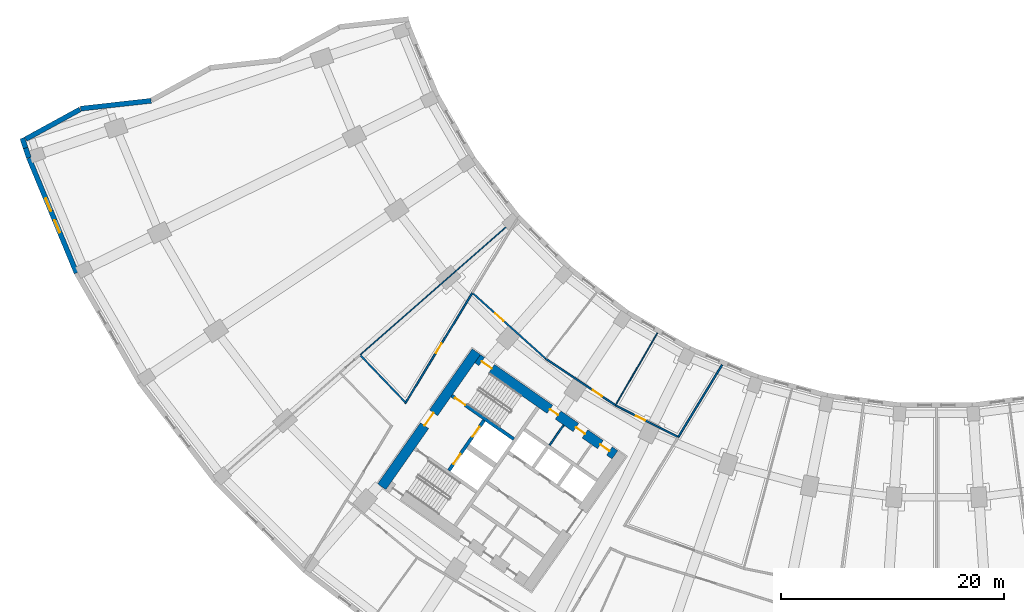
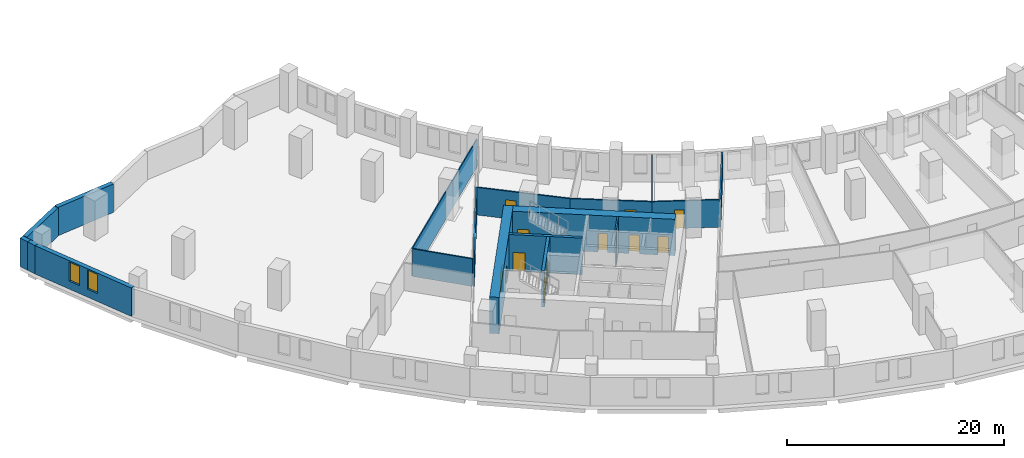
# One storey, part 7 of 20: 18 walls, 12 doors, 2 windows, 14 openings.
"""IFC4 building model written with IfcOpenShell, lengths in metres."""

import ifcopenshell
import ifcopenshell.guid

model = None  # the IFC model being written
_history = None  # IfcOwnerHistory: only IFC2X3 demands one
_inside = {}  # id of a spatial element -> (the spatial element, [elements in it])
_under = {}  # id of a project, library or spatial element -> (it, [spatial elements below it])
_declared = {}  # id of a project -> (the project, [libraries it declares])
_typed = {}  # id of a type object -> (the type object, [elements of that type])
_made_of = {}  # id of a material, layer set ... -> (it, [elements and type objects made of it])


def new_model(schema):
    """Start an empty IFC model of exactly this schema.

    Asked for "IFC4X3", IfcOpenShell would pick the latest addendum, in which some entities
    have other attributes; the version numbers below select the first issue.
    IFC2X3 requires an IfcOwnerHistory on every rooted entity: one is made here for all.
    """
    global model, _history
    if schema == "IFC4X3":
        model = ifcopenshell.file(schema_version=(4, 3, 0, 0))
    else:
        model = ifcopenshell.file(schema=schema)
    _inside.clear()
    _under.clear()
    _declared.clear()
    _typed.clear()
    _made_of.clear()
    _history = None
    if model.schema == "IFC2X3":
        org = make("IfcOrganization", Name="unknown")
        user = make(
            "IfcPersonAndOrganization",
            ThePerson=make("IfcPerson", FamilyName="unknown"),
            TheOrganization=org,
        )
        app = make(
            "IfcApplication",
            ApplicationDeveloper=org,
            Version="unknown",
            ApplicationFullName="unknown",
            ApplicationIdentifier="unknown",
        )
        _history = make(
            "IfcOwnerHistory",
            OwningUser=user,
            OwningApplication=app,
            ChangeAction="ADDED",
            CreationDate=0,
        )
    return model


def make(cls, **values):
    """One entity of the class cls with the attributes given. An attribute that is None is left unset."""
    return model.create_entity(
        cls, **{name: value for name, value in values.items() if value is not None}
    )


def rooted(cls, **values):
    """An entity with a GlobalId (a new one), such as an element, a storey or a relation."""
    return make(cls, GlobalId=ifcopenshell.guid.new(), OwnerHistory=_history, **values)


def si_unit(unit_type, name, prefix=None):
    """IfcSIUnit, for example si_unit("LENGTHUNIT", "METRE", prefix="MILLI")."""
    return make("IfcSIUnit", UnitType=unit_type, Prefix=prefix, Name=name)


def assignment(units):
    """IfcUnitAssignment: the units of a project."""
    return None if units is None else make("IfcUnitAssignment", Units=units)


def point(xyz):
    """IfcCartesianPoint."""
    return None if xyz is None else make("IfcCartesianPoint", Coordinates=xyz)


def direction(xyz):
    """IfcDirection."""
    return None if xyz is None else make("IfcDirection", DirectionRatios=xyz)


def frame(location, z_axis=None, x_axis=None):
    """IfcAxis2Placement3D, a coordinate frame: its origin and axes. An axis left out is left unset."""
    return make(
        "IfcAxis2Placement3D",
        Location=point(location),
        Axis=direction(z_axis),
        RefDirection=direction(x_axis),
    )


def frame_2d(location, x_axis=None):
    """IfcAxis2Placement2D, a coordinate frame in the plane: its origin and x axis."""
    return make(
        "IfcAxis2Placement2D", Location=point(location), RefDirection=direction(x_axis)
    )


def origin():
    """The frame at (0, 0, 0) with its axes left unset."""
    return frame((0.0, 0.0, 0.0))


def place(relative_to, where):
    """IfcLocalPlacement: puts the frame where relative to a parent placement (None: the world)."""
    return make(
        "IfcLocalPlacement", PlacementRelTo=relative_to, RelativePlacement=where
    )


def context(
    kind, dimensions, precision=None, world=None, true_north=None, identifier=None
):
    """IfcGeometricRepresentationContext, for example the 3D "Model" context."""
    return make(
        "IfcGeometricRepresentationContext",
        ContextIdentifier=identifier,
        ContextType=kind,
        CoordinateSpaceDimension=dimensions,
        Precision=precision,
        WorldCoordinateSystem=world,
        TrueNorth=true_north,
    )


def subcontext(parent, identifier, kind, view, scale=None):
    """IfcGeometricRepresentationSubContext, for example "Body" below "Model"."""
    return make(
        "IfcGeometricRepresentationSubContext",
        ContextIdentifier=identifier,
        ContextType=kind,
        ParentContext=parent,
        TargetScale=scale,
        TargetView=view,
    )


def project(units=None, contexts=None):
    """IfcProject with its units and contexts."""
    return rooted(
        "IfcProject",
        Name="project",
        RepresentationContexts=contexts,
        UnitsInContext=assignment(units),
    )


def spatial(cls, under=None, at=None, **own):
    """A site, building, storey or space (cls), placed at a placement, below another one or the project."""
    s = rooted(cls, ObjectPlacement=at, **own)
    if under is not None:
        _under.setdefault(under.id(), (under, []))[1].append(s)
    return s


def profile(cls, at=None, kind="AREA", **sizes):
    """A parametric profile (cls). Its sizes go by their IFC names, for example OverallWidth=200.0."""
    return make(cls, ProfileType=kind, Position=at, **sizes)


def rectangle(**sizes):
    """IfcRectangleProfileDef."""
    return profile("IfcRectangleProfileDef", **sizes)


def extrude(swept, where, along, depth):
    """IfcExtrudedAreaSolid: the profile swept, set in the frame where, extruded along a direction by depth."""
    return make(
        "IfcExtrudedAreaSolid",
        SweptArea=swept,
        Position=where,
        ExtrudedDirection=direction(along),
        Depth=depth,
    )


def shape(context_of_items, identifier, shape_type, items):
    """IfcShapeRepresentation: the items that make up one representation, for example the "Body"."""
    return make(
        "IfcShapeRepresentation",
        ContextOfItems=context_of_items,
        RepresentationIdentifier=identifier,
        RepresentationType=shape_type,
        Items=items,
    )


def material(Name=None, Category=None):
    """IfcMaterial."""
    return make("IfcMaterial", Name=Name, Category=Category)


def layer(
    of_material, thickness, ventilated=None, Name=None, Category=None, Priority=None
):
    """IfcMaterialLayer: one layer of a wall or slab, of a material (None: an air gap)."""
    return make(
        "IfcMaterialLayer",
        Material=of_material,
        LayerThickness=thickness,
        IsVentilated=ventilated,
        Name=Name,
        Category=Category,
        Priority=Priority,
    )


def layer_set(layers, Name=None):
    """IfcMaterialLayerSet."""
    return make("IfcMaterialLayerSet", MaterialLayers=layers, LayerSetName=Name)


def made_of(thing, what):
    """Note that an element or type object is made of a material, layer set ...; save() writes the relation."""
    if what is not None:
        _made_of.setdefault(what.id(), (what, []))[1].append(thing)
    return thing


def type_object(cls, material=None, **own):
    """A type object (cls), such as IfcWallType, which elements share."""
    return made_of(rooted(cls, **own), material)


def element(
    cls,
    number,
    at=None,
    inside=None,
    cuts=None,
    type_object=None,
    material=None,
    context=None,
    identifier="Body",
    shape_type=None,
    held_by="IfcProductDefinitionShape",
    body=None,
    shapes=None,
    **own,
):
    """One element of the class cls, such as IfcWall. Its Tag is "e" and its number.

    at: its placement. inside: the storey or other place that contains it. cuts: it is an
    opening in that element (IfcRelVoidsElement). A single representation is given by context,
    identifier, shape_type and body (its items); several are given by shapes. held_by: the class
    of the entity that holds the representations. save() writes the other relations.
    """
    e = rooted(cls, Tag="e%d" % number, ObjectPlacement=at, **own)
    if body is not None:
        shapes = [shape(context, identifier, shape_type, body)]
    if shapes is not None:
        e.Representation = make(held_by, Representations=shapes)
    if inside is not None:
        _inside.setdefault(inside.id(), (inside, []))[1].append(e)
    if cuts is not None:
        rooted(
            "IfcRelVoidsElement", RelatingBuildingElement=cuts, RelatedOpeningElement=e
        )
    if type_object is not None:
        _typed.setdefault(type_object.id(), (type_object, []))[1].append(e)
    return made_of(e, material)


def fill(opening, filler):
    """IfcRelFillsElement: the door or window that sits in an opening."""
    return rooted(
        "IfcRelFillsElement",
        RelatingOpeningElement=opening,
        RelatedBuildingElement=filler,
    )


def aggregate(whole, parts):
    """IfcRelAggregates: a whole, such as a stair, and the parts it consists of."""
    return rooted("IfcRelAggregates", RelatingObject=whole, RelatedObjects=parts)


def save(model, path):
    """Write the relations noted so far, then the file.

    IfcRelAggregates (storeys below a building ...), IfcRelContainedInSpatialStructure (elements
    in a storey), IfcRelDefinesByType, IfcRelAssociatesMaterial and IfcRelDeclares: one each for
    every whole, place, type object, material and project.
    """
    for whole, parts in _under.values():
        aggregate(whole, parts)
    for where, things in _inside.values():
        rooted(
            "IfcRelContainedInSpatialStructure",
            RelatedElements=things,
            RelatingStructure=where,
        )
    for kind, things in _typed.values():
        rooted("IfcRelDefinesByType", RelatedObjects=things, RelatingType=kind)
    for what, things in _made_of.values():
        rooted("IfcRelAssociatesMaterial", RelatedObjects=things, RelatingMaterial=what)
    for by, libraries in _declared.values():
        rooted("IfcRelDeclares", RelatingContext=by, RelatedDefinitions=libraries)
    model.write(path)


model = new_model("IFC4")

# Units and contexts
model_context = context("Model", 3, precision=1e-05, world=origin(), true_north=direction((0.0, 1.0)))
body_context = subcontext(model_context, "Body", "Model", "MODEL_VIEW")
ifc_project = project(units=[si_unit("LENGTHUNIT", "METRE"), si_unit("AREAUNIT", "SQUARE_METRE"), si_unit("VOLUMEUNIT", "CUBIC_METRE"), si_unit("PLANEANGLEUNIT", "RADIAN"), si_unit("MASSUNIT", "GRAM", prefix="KILO")], contexts=[model_context])

# Site, building, storey
site_placement = place(None, origin())
site = spatial("IfcSite", under=ifc_project, at=site_placement, CompositionType="ELEMENT")
building_placement = place(site_placement, origin())
building = spatial("IfcBuilding", under=site, at=building_placement, Name="Qamariyya Broadcast Tower", CompositionType="ELEMENT")
storey_placement = place(building_placement, frame((0.0, 0.0, 27.0)))
storey = spatial("IfcBuildingStorey", under=building, at=storey_placement, Name="L03", CompositionType="ELEMENT", Elevation=27.0)

# Wall, opening, door
ifc_material_1 = material(Name="Concrete C70/85", Category="concrete")
ifc_layer_1 = layer(ifc_material_1, 0.89990234375)
ifc_layer_set_1 = layer_set([ifc_layer_1], Name="Core wall 900 mm Concrete C70/85")
wall_type_1 = type_object("IfcWallType", Name="Core wall 900 mm Concrete C70/85", PredefinedType="SHEAR", material=ifc_layer_set_1)
wall_1_placement = place(storey_placement, frame((-49.778564453125, -57.191162109375, 0.0), z_axis=(0.0, 0.0, 1.0), x_axis=(0.573577477574, 0.819151315216, 0.0)))
wall_1 = element("IfcWall", 1, at=wall_1_placement, inside=storey, type_object=wall_type_1, Name="k-W-L03-WH", PredefinedType="SHEAR", context=body_context, shape_type="SweptSolid", body=[
    extrude(rectangle(XDim=14.800048828125, YDim=0.89990234375, at=frame_2d((7.39990234375, 0.0))), origin(), (0.0, 0.0, 1.0), 4.10009765625),
])
opening_1_placement = place(wall_1_placement, frame((6.699951171875, 0.0, 0.0)))
opening_1 = element("IfcOpeningElement", 2, at=opening_1_placement, cuts=wall_1, Name="Opening KD2-W1", PredefinedType="OPENING", context=body_context, shape_type="SweptSolid", body=[
    extrude(rectangle(XDim=1.39990234375, YDim=2.10009765625, at=frame_2d((0.699951171875, 1.050048828125))), frame((0.0, 0.4599609375, 0.0), z_axis=(0.0, -1.0, 0.0), x_axis=(1.0, 0.0, 0.0)), (0.0, 0.0, 1.0), 0.919921875),
])
ifc_material_2 = material(Name="Steel fire-resisting door leaf", Category="steel")
door_type_1 = type_object("IfcDoorType", Name="Fire-fighting lobby door KD2", OperationType="DOUBLE_DOOR_SINGLE_SWING", PredefinedType="DOOR", material=ifc_material_2)
door_1_placement = place(opening_1_placement, origin())
door_1 = element("IfcDoor", 3, at=door_1_placement, inside=storey, type_object=door_type_1, Name="k-W-L03-WH-D15", OperationType="DOUBLE_DOOR_SINGLE_SWING", OverallHeight=2.10009765625, OverallWidth=1.39990234375, PredefinedType="DOOR", context=body_context, shape_type="SweptSolid", body=[
    extrude(rectangle(XDim=1.39990234375, YDim=2.10009765625, at=frame_2d((0.699951171875, 1.050048828125))), frame((0.0, 0.02490234375, 0.0), z_axis=(0.0, -1.0, 0.0), x_axis=(1.0, 0.0, 0.0)), (0.0, 0.0, 1.0), 0.050048828125),
])
fill(opening_1, door_1)

# Wall, openings, doors
wall_2_placement = place(storey_placement, frame((-28.8544921875, -54.32421875, 0.0), z_axis=(0.0, 0.0, 1.0), x_axis=(-0.819145767589, 0.573585400304, 0.0)))
wall_2 = element("IfcWall", 4, at=wall_2_placement, inside=storey, type_object=wall_type_1, Name="k-W-L03-WI", PredefinedType="SHEAR", context=body_context, shape_type="SweptSolid", body=[
    extrude(rectangle(XDim=15.04541015625, YDim=0.89990234375, at=frame_2d((7.522705078125, 0.0))), origin(), (0.0, 0.0, 1.0), 4.10009765625),
])
opening_2_placement = place(wall_2_placement, frame((0.60009765625, 0.0, 0.0)))
opening_2 = element("IfcOpeningElement", 5, at=opening_2_placement, cuts=wall_2, Name="Opening KD7-W1", PredefinedType="OPENING", context=body_context, shape_type="SweptSolid", body=[
    extrude(rectangle(XDim=1.0, YDim=2.10009765625, at=frame_2d((0.5, 1.050048828125))), frame((0.0, 0.4599609375, 0.0), z_axis=(0.0, -1.0, 0.0), x_axis=(1.0, 0.0, 0.0)), (0.0, 0.0, 1.0), 0.919921875),
])
opening_3_placement = place(wall_2_placement, frame((3.27490234375, 0.0, 0.0)))
opening_3 = element("IfcOpeningElement", 6, at=opening_3_placement, cuts=wall_2, Name="Opening KD6-W2", PredefinedType="OPENING", context=body_context, shape_type="SweptSolid", body=[
    extrude(rectangle(XDim=1.0, YDim=2.10009765625, at=frame_2d((0.5, 1.050048828125))), frame((0.0, 0.4599609375, 0.0), z_axis=(0.0, -1.0, 0.0), x_axis=(1.0, 0.0, 0.0)), (0.0, 0.0, 1.0), 0.919921875),
])
opening_4_placement = place(wall_2_placement, frame((6.22509765625, 0.0, 0.0)))
opening_4 = element("IfcOpeningElement", 7, at=opening_4_placement, cuts=wall_2, Name="Opening KD5-W1", PredefinedType="OPENING", context=body_context, shape_type="SweptSolid", body=[
    extrude(rectangle(XDim=0.89990234375, YDim=2.10009765625, at=frame_2d((0.449951171875, 1.050048828125))), frame((0.0, 0.4599609375, 0.0), z_axis=(0.0, -1.0, 0.0), x_axis=(1.0, 0.0, 0.0)), (0.0, 0.0, 1.0), 0.919921875),
])
opening_5_placement = place(wall_2_placement, frame((13.495361328125, 0.0, 0.0)))
opening_5 = element("IfcOpeningElement", 8, at=opening_5_placement, cuts=wall_2, Name="Opening KD1-W1", PredefinedType="OPENING", context=body_context, shape_type="SweptSolid", body=[
    extrude(rectangle(XDim=1.10009765625, YDim=2.10009765625, at=frame_2d((0.550048828125, 1.050048828125))), frame((0.0, 0.4599609375, 0.0), z_axis=(0.0, -1.0, 0.0), x_axis=(1.0, 0.0, 0.0)), (0.0, 0.0, 1.0), 0.919921875),
])
door_type_2 = type_object("IfcDoorType", Name="Accessible toilet door KD7", OperationType="SINGLE_SWING_LEFT", PredefinedType="DOOR", material=ifc_material_2)
door_2_placement = place(opening_2_placement, origin())
door_2 = element("IfcDoor", 9, at=door_2_placement, inside=storey, type_object=door_type_2, Name="k-W-L03-WI-D7", OperationType="SINGLE_SWING_RIGHT", OverallHeight=2.10009765625, OverallWidth=1.0, PredefinedType="DOOR", context=body_context, shape_type="SweptSolid", body=[
    extrude(rectangle(XDim=1.0, YDim=2.10009765625, at=frame_2d((0.5, 1.050048828125))), frame((0.0, 0.02490234375, 0.0), z_axis=(0.0, -1.0, 0.0), x_axis=(1.0, 0.0, 0.0)), (0.0, 0.0, 1.0), 0.050048828125),
])
fill(opening_2, door_2)
door_type_3 = type_object("IfcDoorType", Name="Core room door KD6", OperationType="SINGLE_SWING_LEFT", PredefinedType="DOOR", material=ifc_material_2)
door_3_placement = place(opening_3_placement, origin())
door_3 = element("IfcDoor", 10, at=door_3_placement, inside=storey, type_object=door_type_3, Name="k-W-L03-WI-D8", OperationType="SINGLE_SWING_LEFT", OverallHeight=2.10009765625, OverallWidth=1.0, PredefinedType="DOOR", context=body_context, shape_type="SweptSolid", body=[
    extrude(rectangle(XDim=1.0, YDim=2.10009765625, at=frame_2d((0.5, 1.050048828125))), frame((0.0, 0.02490234375, 0.0), z_axis=(0.0, -1.0, 0.0), x_axis=(1.0, 0.0, 0.0)), (0.0, 0.0, 1.0), 0.050048828125),
])
fill(opening_3, door_3)
door_type_4 = type_object("IfcDoorType", Name="Stair door KD1", OperationType="SINGLE_SWING_LEFT", PredefinedType="DOOR", material=ifc_material_2)
door_4_placement = place(opening_5_placement, origin())
door_4 = element("IfcDoor", 11, at=door_4_placement, inside=storey, type_object=door_type_4, Name="k-W-L03-WI-D16", OperationType="SINGLE_SWING_RIGHT", OverallHeight=2.10009765625, OverallWidth=1.10009765625, PredefinedType="DOOR", context=body_context, shape_type="SweptSolid", body=[
    extrude(rectangle(XDim=1.10009765625, YDim=2.10009765625, at=frame_2d((0.550048828125, 1.050048828125))), frame((0.0, 0.02490234375, 0.0), z_axis=(0.0, -1.0, 0.0), x_axis=(1.0, 0.0, 0.0)), (0.0, 0.0, 1.0), 0.050048828125),
])
fill(opening_5, door_4)
door_type_5 = type_object("IfcDoorType", Name="Toilet door KD5", OperationType="SINGLE_SWING_LEFT", PredefinedType="DOOR", material=ifc_material_2)
door_5_placement = place(opening_4_placement, origin())
door_5 = element("IfcDoor", 12, at=door_5_placement, inside=storey, type_object=door_type_5, Name="k-W-L03-WI-D9", OperationType="SINGLE_SWING_RIGHT", OverallHeight=2.10009765625, OverallWidth=0.89990234375, PredefinedType="DOOR", context=body_context, shape_type="SweptSolid", body=[
    extrude(rectangle(XDim=0.89990234375, YDim=2.10009765625, at=frame_2d((0.449951171875, 1.050048828125))), frame((0.0, 0.02490234375, 0.0), z_axis=(0.0, -1.0, 0.0), x_axis=(1.0, 0.0, 0.0)), (0.0, 0.0, 1.0), 0.050048828125),
])
fill(opening_4, door_5)

# Wall
ifc_material_3 = material(Name="Gypsum board partition")
ifc_layer_2 = layer(ifc_material_3, 0.14990234375)
ifc_layer_set_2 = layer_set([ifc_layer_2], Name="Corridor partition 150 EI 60")
wall_type_2 = type_object("IfcWallType", Name="Corridor partition 150 EI 60", PredefinedType="PARTITIONING", material=ifc_layer_set_2)
wall_3_placement = place(storey_placement, frame((-47.685546875, -49.589111328125, 0.0), z_axis=(0.0, 0.0, 1.0), x_axis=(-0.691111241065, 0.722748401917, 0.0)))
element("IfcWall", 13, at=wall_3_placement, inside=storey, type_object=wall_type_2, Name="Partition L03-009", PredefinedType="PARTITIONING", context=body_context, shape_type="SweptSolid", body=[
    extrude(rectangle(XDim=5.772216796875, YDim=0.14990234375, at=frame_2d((2.88623046875, 0.0))), origin(), (0.0, 0.0, 1.0), 3.10009765625),
])

# Wall, opening, door
wall_4_placement = place(storey_placement, frame((-47.6728515625, -49.70751953125, 0.0), z_axis=(0.0, 0.0, 1.0), x_axis=(0.519159839294, 0.854677167862, 0.0)))
wall_4 = element("IfcWall", 14, at=wall_4_placement, inside=storey, type_object=wall_type_2, Name="Partition L03-011", PredefinedType="PARTITIONING", context=body_context, shape_type="SweptSolid", body=[
    extrude(rectangle(XDim=11.604736328125, YDim=0.14990234375, at=frame_2d((5.80224609375, 0.0))), origin(), (0.0, 0.0, 1.0), 3.10009765625),
])
opening_6_placement = place(wall_4_placement, frame((5.30224609375, 0.0, 0.0)))
opening_6 = element("IfcOpeningElement", 15, at=opening_6_placement, cuts=wall_4, Name="Opening L03-D20", PredefinedType="OPENING", context=body_context, shape_type="SweptSolid", body=[
    extrude(rectangle(XDim=1.0, YDim=2.10009765625, at=frame_2d((0.5, 1.050048828125))), frame((0.0, 0.0849609375, 0.0), z_axis=(0.0, -1.0, 0.0), x_axis=(1.0, 0.0, 0.0)), (0.0, 0.0, 1.0), 0.169921875),
])
ifc_material_4 = material(Name="Timber fire door leaf", Category="wood")
door_type_6 = type_object("IfcDoorType", Name="Fire door 1000 x 2100 FD60", OperationType="NOTDEFINED", PredefinedType="DOOR", material=ifc_material_4)
door_6_placement = place(opening_6_placement, origin())
door_6 = element("IfcDoor", 16, at=door_6_placement, inside=storey, type_object=door_type_6, Name="Door L03-D20", OperationType="SINGLE_SWING_RIGHT", OverallHeight=2.10009765625, OverallWidth=1.0, PredefinedType="DOOR", context=body_context, shape_type="SweptSolid", body=[
    extrude(rectangle(XDim=1.0, YDim=2.10009765625, at=frame_2d((0.5, 1.050048828125))), frame((0.0, 0.02490234375, 0.0), z_axis=(0.0, -1.0, 0.0), x_axis=(1.0, 0.0, 0.0)), (0.0, 0.0, 1.0), 0.050048828125),
])
fill(opening_6, door_6)

wall_5_placement = place(storey_placement, frame((-41.59228515625, -39.83935546875, 0.0), z_axis=(0.0, 0.0, 1.0), x_axis=(0.744252572607, -0.667898276812, 0.0)))
wall_5 = element("IfcWall", 17, at=wall_5_placement, inside=storey, type_object=wall_type_2, Name="Partition L03-012", PredefinedType="PARTITIONING", context=body_context, shape_type="SweptSolid", body=[
    extrude(rectangle(XDim=8.770751953125, YDim=0.14990234375, at=frame_2d((4.38525390625, 0.0))), origin(), (0.0, 0.0, 1.0), 3.10009765625),
])
opening_7_placement = place(wall_5_placement, frame((2.685302734375, 0.0, 0.0)))
opening_7 = element("IfcOpeningElement", 18, at=opening_7_placement, cuts=wall_5, Name="Opening L03-D15", PredefinedType="OPENING", context=body_context, shape_type="SweptSolid", body=[
    extrude(rectangle(XDim=1.0, YDim=2.10009765625, at=frame_2d((0.5, 1.050048828125))), frame((0.0, 0.0849609375, 0.0), z_axis=(0.0, -1.0, 0.0), x_axis=(1.0, 0.0, 0.0)), (0.0, 0.0, 1.0), 0.169921875),
])
door_7_placement = place(opening_7_placement, origin())
door_7 = element("IfcDoor", 19, at=door_7_placement, inside=storey, type_object=door_type_6, Name="Door L03-D15", OperationType="SINGLE_SWING_LEFT", OverallHeight=2.10009765625, OverallWidth=1.0, PredefinedType="DOOR", context=body_context, shape_type="SweptSolid", body=[
    extrude(rectangle(XDim=1.0, YDim=2.10009765625, at=frame_2d((0.5, 1.050048828125))), frame((0.0, 0.02490234375, 0.0), z_axis=(0.0, -1.0, 0.0), x_axis=(1.0, 0.0, 0.0)), (0.0, 0.0, 1.0), 0.050048828125),
])
fill(opening_7, door_7)

wall_6_placement = place(storey_placement, frame((-35.064697265625, -45.697265625, 0.0), z_axis=(0.0, 0.0, 1.0), x_axis=(0.831476555368, -0.555559841847, 0.0)))
wall_6 = element("IfcWall", 20, at=wall_6_placement, inside=storey, type_object=wall_type_2, Name="Partition L03-014", PredefinedType="PARTITIONING", context=body_context, shape_type="SweptSolid", body=[
    extrude(rectangle(XDim=7.534423828125, YDim=0.14990234375, at=frame_2d((3.76708984375, 0.0))), origin(), (0.0, 0.0, 1.0), 3.10009765625),
])
opening_8_placement = place(wall_6_placement, frame((5.067138671875, 0.0, 0.0)))
opening_8 = element("IfcOpeningElement", 21, at=opening_8_placement, cuts=wall_6, Name="Opening L03-D16", PredefinedType="OPENING", context=body_context, shape_type="SweptSolid", body=[
    extrude(rectangle(XDim=1.0, YDim=2.10009765625, at=frame_2d((0.5, 1.050048828125))), frame((0.0, 0.0849609375, 0.0), z_axis=(0.0, -1.0, 0.0), x_axis=(1.0, 0.0, 0.0)), (0.0, 0.0, 1.0), 0.169921875),
])
door_8_placement = place(opening_8_placement, origin())
door_8 = element("IfcDoor", 22, at=door_8_placement, inside=storey, type_object=door_type_6, Name="Door L03-D16", OperationType="SINGLE_SWING_RIGHT", OverallHeight=2.10009765625, OverallWidth=1.0, PredefinedType="DOOR", context=body_context, shape_type="SweptSolid", body=[
    extrude(rectangle(XDim=1.0, YDim=2.10009765625, at=frame_2d((0.5, 1.050048828125))), frame((0.0, 0.02490234375, 0.0), z_axis=(0.0, -1.0, 0.0), x_axis=(1.0, 0.0, 0.0)), (0.0, 0.0, 1.0), 0.050048828125),
])
fill(opening_8, door_8)

wall_7_placement = place(storey_placement, frame((-28.800048828125, -49.883056640625, 0.0), z_axis=(0.0, 0.0, 1.0), x_axis=(0.892095791335, -0.451846322418, 0.0)))
wall_7 = element("IfcWall", 23, at=wall_7_placement, inside=storey, type_object=wall_type_2, Name="Partition L03-020", PredefinedType="PARTITIONING", context=body_context, shape_type="SweptSolid", body=[
    extrude(rectangle(XDim=6.2314453125, YDim=0.14990234375, at=frame_2d((3.11572265625, 0.0))), origin(), (0.0, 0.0, 1.0), 3.10009765625),
])
opening_9_placement = place(wall_7_placement, frame((2.065673828125, 0.0, 0.0)))
opening_9 = element("IfcOpeningElement", 24, at=opening_9_placement, cuts=wall_7, Name="Opening L03-D17", PredefinedType="OPENING", context=body_context, shape_type="SweptSolid", body=[
    extrude(rectangle(XDim=0.89990234375, YDim=2.10009765625, at=frame_2d((0.449951171875, 1.050048828125))), frame((0.0, 0.0849609375, 0.0), z_axis=(0.0, -1.0, 0.0), x_axis=(1.0, 0.0, 0.0)), (0.0, 0.0, 1.0), 0.169921875),
])
door_type_7 = type_object("IfcDoorType", Name="Fire door 900 x 2100 FD60", OperationType="NOTDEFINED", PredefinedType="DOOR", material=ifc_material_4)
door_9_placement = place(opening_9_placement, origin())
door_9 = element("IfcDoor", 25, at=door_9_placement, inside=storey, type_object=door_type_7, Name="Door L03-D17", OperationType="SINGLE_SWING_LEFT", OverallHeight=2.10009765625, OverallWidth=0.89990234375, PredefinedType="DOOR", context=body_context, shape_type="SweptSolid", body=[
    extrude(rectangle(XDim=0.89990234375, YDim=2.10009765625, at=frame_2d((0.449951171875, 1.050048828125))), frame((0.0, 0.02490234375, 0.0), z_axis=(0.0, -1.0, 0.0), x_axis=(1.0, 0.0, 0.0)), (0.0, 0.0, 1.0), 0.050048828125),
])
fill(opening_9, door_9)

# Walls
wall_8_placement = place(storey_placement, frame((-19.2314453125, -46.2490234375, 0.0), z_axis=(0.0, 0.0, 1.0), x_axis=(-0.519582509181, -0.854420280748, 0.0)))
element("IfcWall", 26, at=wall_8_placement, inside=storey, type_object=wall_type_2, Name="Partition L03-025", PredefinedType="PARTITIONING", context=body_context, shape_type="SweptSolid", body=[
    extrude(rectangle(XDim=7.588134765625, YDim=0.14990234375, at=frame_2d((3.7939453125, 0.0))), origin(), (0.0, 0.0, 1.0), 3.10009765625),
])
ifc_material_5 = material(Name="Gypsum board partition on steel studs", Category="steel")
ifc_layer_3 = layer(ifc_material_5, 0.14990234375)
ifc_layer_set_3 = layer_set([ifc_layer_3], Name="Gypsum board partition 150 mm")
wall_type_3 = type_object("IfcWallType", Name="Gypsum board partition 150 mm", PredefinedType="PARTITIONING", material=ifc_layer_set_3)
wall_9_placement = place(storey_placement, frame((-34.716064453125, -53.454833984375, 0.0), z_axis=(0.0, 0.0, 1.0), x_axis=(0.573507030513, 0.819200638399, 0.0)))
element("IfcWall", 27, at=wall_9_placement, inside=storey, type_object=wall_type_3, Name="k-W-L03-NP530", PredefinedType="PARTITIONING", context=body_context, shape_type="SweptSolid", body=[
    extrude(rectangle(XDim=2.199951171875, YDim=0.14990234375, at=frame_2d((1.10009765625, 0.0))), origin(), (0.0, 0.0, 1.0), 4.10009765625),
])

# Wall, opening, door
ifc_material_6 = material(Name="Concrete C60/75", Category="concrete")
ifc_layer_4 = layer(ifc_material_6, 0.300048828125)
ifc_layer_set_4 = layer_set([ifc_layer_4], Name="Lift shaft wall 300 mm Concrete C60/75")
wall_type_4 = type_object("IfcWallType", Name="Lift shaft wall 300 mm Concrete C60/75", PredefinedType="SOLIDWALL", material=ifc_layer_set_4)
wall_10_placement = place(storey_placement, frame((-37.935546875, -52.90966796875, 0.0), z_axis=(0.0, 0.0, 1.0), x_axis=(-0.819147518138, 0.57358290031, 0.0)))
wall_10 = element("IfcWall", 28, at=wall_10_placement, inside=storey, type_object=wall_type_4, Name="k-W-L03-NW", PredefinedType="SOLIDWALL", context=body_context, shape_type="SweptSolid", body=[
    extrude(rectangle(XDim=6.79541015625, YDim=0.300048828125, at=frame_2d((3.397705078125, 0.0))), origin(), (0.0, 0.0, 1.0), 4.10009765625),
])
opening_10_placement = place(wall_10_placement, frame((5.3203125, 0.0, 0.0)))
opening_10 = element("IfcOpeningElement", 29, at=opening_10_placement, cuts=wall_10, Name="Opening KD1-W2", PredefinedType="OPENING", context=body_context, shape_type="SweptSolid", body=[
    extrude(rectangle(XDim=1.10009765625, YDim=2.10009765625, at=frame_2d((0.550048828125, 1.050048828125))), frame((0.0, 0.159912109375, 0.0), z_axis=(0.0, -1.0, 0.0), x_axis=(1.0, 0.0, 0.0)), (0.0, 0.0, 1.0), 0.320068359375),
])
door_10_placement = place(opening_10_placement, origin())
door_10 = element("IfcDoor", 30, at=door_10_placement, inside=storey, type_object=door_type_4, Name="k-W-L03-NW-D17", OperationType="SINGLE_SWING_RIGHT", OverallHeight=2.10009765625, OverallWidth=1.10009765625, PredefinedType="DOOR", context=body_context, shape_type="SweptSolid", body=[
    extrude(rectangle(XDim=1.10009765625, YDim=2.10009765625, at=frame_2d((0.550048828125, 1.050048828125))), frame((0.0, 0.02490234375, 0.0), z_axis=(0.0, -1.0, 0.0), x_axis=(1.0, 0.0, 0.0)), (0.0, 0.0, 1.0), 0.050048828125),
])
fill(opening_10, door_10)

# Wall, openings, doors
wall_11_placement = place(storey_placement, frame((-43.756591796875, -55.731201171875, 0.0), z_axis=(0.0, 0.0, 1.0), x_axis=(0.573536818435, 0.819179783625, 0.0)))
wall_11 = element("IfcWall", 31, at=wall_11_placement, inside=storey, type_object=wall_type_4, Name="k-W-L03-FF", PredefinedType="SOLIDWALL", context=body_context, shape_type="SweptSolid", body=[
    extrude(rectangle(XDim=5.500244140625, YDim=0.300048828125, at=frame_2d((2.75, 0.0))), origin(), (0.0, 0.0, 1.0), 4.10009765625),
])
opening_11_placement = place(wall_11_placement, frame((0.699951171875, 0.0, 0.0)))
opening_11 = element("IfcOpeningElement", 32, at=opening_11_placement, cuts=wall_11, Name="Opening LD", PredefinedType="OPENING", context=body_context, shape_type="SweptSolid", body=[
    extrude(rectangle(XDim=1.10009765625, YDim=2.10009765625, at=frame_2d((0.550048828125, 1.050048828125))), frame((0.0, 0.159912109375, 0.0), z_axis=(0.0, -1.0, 0.0), x_axis=(1.0, 0.0, 0.0)), (0.0, 0.0, 1.0), 0.320068359375),
])
opening_12_placement = place(wall_11_placement, frame((3.699951171875, 0.0, 0.0)))
opening_12 = element("IfcOpeningElement", 33, at=opening_12_placement, cuts=wall_11, Name="Opening LD", PredefinedType="OPENING", context=body_context, shape_type="SweptSolid", body=[
    extrude(rectangle(XDim=1.10009765625, YDim=2.10009765625, at=frame_2d((0.550048828125, 1.050048828125))), frame((0.0, 0.159912109375, 0.0), z_axis=(0.0, -1.0, 0.0), x_axis=(1.0, 0.0, 0.0)), (0.0, 0.0, 1.0), 0.320068359375),
])
door_type_8 = type_object("IfcDoorType", Name="Lift landing door LD", OperationType="DOUBLE_DOOR_SLIDING", PredefinedType="DOOR", material=ifc_material_2)
door_11_placement = place(opening_11_placement, origin())
door_11 = element("IfcDoor", 34, at=door_11_placement, inside=storey, type_object=door_type_8, Name="k-W-L03-FF-D13", OperationType="DOUBLE_DOOR_SLIDING", OverallHeight=2.10009765625, OverallWidth=1.10009765625, PredefinedType="DOOR", context=body_context, shape_type="SweptSolid", body=[
    extrude(rectangle(XDim=1.10009765625, YDim=2.10009765625, at=frame_2d((0.550048828125, 1.050048828125))), frame((0.0, 0.02490234375, 0.0), z_axis=(0.0, -1.0, 0.0), x_axis=(1.0, 0.0, 0.0)), (0.0, 0.0, 1.0), 0.050048828125),
])
fill(opening_11, door_11)
door_12_placement = place(opening_12_placement, origin())
door_12 = element("IfcDoor", 35, at=door_12_placement, inside=storey, type_object=door_type_8, Name="k-W-L03-FF-D14", OperationType="DOUBLE_DOOR_SLIDING", OverallHeight=2.10009765625, OverallWidth=1.10009765625, PredefinedType="DOOR", context=body_context, shape_type="SweptSolid", body=[
    extrude(rectangle(XDim=1.10009765625, YDim=2.10009765625, at=frame_2d((0.550048828125, 1.050048828125))), frame((0.0, 0.02490234375, 0.0), z_axis=(0.0, -1.0, 0.0), x_axis=(1.0, 0.0, 0.0)), (0.0, 0.0, 1.0), 0.050048828125),
])
fill(opening_12, door_12)

# Walls
ifc_layer_5 = layer(ifc_material_3, 0.10009765625)
ifc_layer_set_5 = layer_set([ifc_layer_5], Name="Partition 100")
wall_type_5 = type_object("IfcWallType", Name="Partition 100", PredefinedType="PARTITIONING", material=ifc_layer_set_5)
wall_12_placement = place(storey_placement, frame((-51.7265625, -45.363037109375, 0.0), z_axis=(0.0, 0.0, 1.0), x_axis=(0.751835479309, 0.659350750399, 0.0)))
element("IfcWall", 36, at=wall_12_placement, inside=storey, type_object=wall_type_5, Name="Partition L03-005", PredefinedType="PARTITIONING", context=body_context, shape_type="SweptSolid", body=[
    extrude(rectangle(XDim=18.60009765625, YDim=0.10009765625, at=frame_2d((9.300048828125, 0.0))), origin(), (0.0, 0.0, 1.0), 3.10009765625),
])
wall_13_placement = place(storey_placement, frame((-25.046630859375, -43.38232421875, 0.0), z_axis=(0.0, 0.0, 1.0), x_axis=(-0.500011569389, -0.866018724091, 0.0)))
element("IfcWall", 37, at=wall_13_placement, inside=storey, type_object=wall_type_5, Name="Partition L03-023", PredefinedType="PARTITIONING", context=body_context, shape_type="SweptSolid", body=[
    extrude(rectangle(XDim=7.431396484375, YDim=0.10009765625, at=frame_2d((3.7158203125, 0.0))), origin(), (0.0, 0.0, 1.0), 3.10009765625),
])
ifc_material_7 = material(Name="Precast concrete C40/50 with terracotta facing", Category="masonry")
ifc_layer_6 = layer(ifc_material_7, 0.449951171875)
ifc_layer_set_6 = layer_set([ifc_layer_6], Name="Precast concrete C40/50 wall 450, terracotta faced")
wall_type_6 = type_object("IfcWallType", Name="Precast concrete C40/50 wall 450, terracotta faced", PredefinedType="SOLIDWALL", material=ifc_layer_set_6)
wall_14_placement = place(storey_placement, frame((-70.4814453125, -22.548095703125, 0.0), z_axis=(0.0, 0.0, 1.0), x_axis=(-0.993813805196, -0.111059086081, 0.0)))
element("IfcWall", 38, at=wall_14_placement, inside=storey, type_object=wall_type_6, Name="e-wl-L03-capW4", PredefinedType="SOLIDWALL", context=body_context, shape_type="SweptSolid", body=[
    extrude(rectangle(XDim=6.36181640625, YDim=0.449951171875, at=frame_2d((3.180908203125, 0.0))), origin(), (0.0, 0.0, 1.0), 3.199951171875),
])
wall_15_placement = place(storey_placement, frame((-76.863037109375, -23.32373046875, 0.0), z_axis=(0.0, 0.0, 1.0), x_axis=(-0.877209140108, -0.480108450781, 0.0)))
element("IfcWall", 39, at=wall_15_placement, inside=storey, type_object=wall_type_6, Name="e-wl-L03-capW5", PredefinedType="SOLIDWALL", context=body_context, shape_type="SweptSolid", body=[
    extrude(rectangle(XDim=5.552978515625, YDim=0.449951171875, at=frame_2d((2.7763671875, 0.0))), origin(), (0.0, 0.0, 1.0), 3.199951171875),
])
wall_16_placement = place(storey_placement, frame((-82.031982421875, -25.90625, 0.0), z_axis=(0.0, 0.0, 1.0), x_axis=(0.311608566113, -0.950210556416, 0.0)))
element("IfcWall", 40, at=wall_16_placement, inside=storey, type_object=wall_type_6, Name="e-wl-L03-out00", PredefinedType="SOLIDWALL", context=body_context, shape_type="SweptSolid", body=[
    extrude(rectangle(XDim=0.936279296875, YDim=0.449951171875, at=frame_2d((0.46826171875, 0.0))), origin(), (0.0, 0.0, 1.0), 3.199951171875),
])
wall_17_placement = place(storey_placement, frame((-81.740234375, -26.7958984375, 0.0), z_axis=(0.0, 0.0, 1.0), x_axis=(0.311634105085, -0.950202180879, 0.0)))
element("IfcWall", 41, at=wall_17_placement, inside=storey, type_object=wall_type_6, Name="e-wl-L03-out01", PredefinedType="SOLIDWALL", context=body_context, shape_type="SweptSolid", body=[
    extrude(rectangle(XDim=0.90966796875, YDim=0.449951171875, at=frame_2d((0.454833984375, 0.0))), origin(), (0.0, 0.0, 1.0), 3.199951171875),
])

# Wall, openings, windows
wall_18_placement = place(storey_placement, frame((-81.449462890625, -27.675537109375, 0.0), z_axis=(0.0, 0.0, 1.0), x_axis=(0.382700611107, -0.923872416656, 0.0)))
wall_18 = element("IfcWall", 42, at=wall_18_placement, inside=storey, type_object=wall_type_6, Name="e-wl-L03-out10", PredefinedType="SOLIDWALL", context=body_context, shape_type="SweptSolid", body=[
    extrude(rectangle(XDim=11.167724609375, YDim=0.449951171875, at=frame_2d((5.583984375, 0.0))), origin(), (0.0, 0.0, 1.0), 3.199951171875),
])
opening_13_placement = place(wall_18_placement, frame((3.95068359375, 0.0, 0.89990234375)))
opening_13 = element("IfcOpeningElement", 43, at=opening_13_placement, cuts=wall_18, Name="Opening W3", PredefinedType="OPENING", context=body_context, shape_type="SweptSolid", body=[
    extrude(rectangle(XDim=1.199951171875, YDim=2.14990234375, at=frame_2d((0.60009765625, 1.074951171875))), frame((0.0, 0.23486328125, 0.0), z_axis=(0.0, -1.0, 0.0), x_axis=(1.0, 0.0, 0.0)), (0.0, 0.0, 1.0), 0.469970703125),
])
opening_14_placement = place(wall_18_placement, frame((6.050537109375, 0.0, 0.89990234375)))
opening_14 = element("IfcOpeningElement", 44, at=opening_14_placement, cuts=wall_18, Name="Opening W3", PredefinedType="OPENING", context=body_context, shape_type="SweptSolid", body=[
    extrude(rectangle(XDim=1.199951171875, YDim=2.14990234375, at=frame_2d((0.60009765625, 1.074951171875))), frame((0.0, 0.23486328125, 0.0), z_axis=(0.0, -1.0, 0.0), x_axis=(1.0, 0.0, 0.0)), (0.0, 0.0, 1.0), 0.469970703125),
])
ifc_material_8 = material(Name="Clear low-e double glazed unit in aluminium frame", Category="aluminium")
window_type = type_object("IfcWindowType", Name="Podium window 1200 x 2150", PartitioningType="SINGLE_PANEL", PredefinedType="WINDOW", material=ifc_material_8)
window_1_placement = place(opening_13_placement, origin())
window_1 = element("IfcWindow", 45, at=window_1_placement, inside=storey, type_object=window_type, Name="e-w-L03-out01a", OverallHeight=2.14990234375, OverallWidth=1.199951171875, PartitioningType="SINGLE_PANEL", PredefinedType="WINDOW", context=body_context, shape_type="SweptSolid", body=[
    extrude(rectangle(XDim=1.199951171875, YDim=2.14990234375, at=frame_2d((0.60009765625, 1.074951171875))), frame((0.0, 0.030029296875, 0.0), z_axis=(0.0, -1.0, 0.0), x_axis=(1.0, 0.0, 0.0)), (0.0, 0.0, 1.0), 0.06005859375),
])
fill(opening_13, window_1)
window_2_placement = place(opening_14_placement, origin())
window_2 = element("IfcWindow", 46, at=window_2_placement, inside=storey, type_object=window_type, Name="e-w-L03-out01b", OverallHeight=2.14990234375, OverallWidth=1.199951171875, PartitioningType="SINGLE_PANEL", PredefinedType="WINDOW", context=body_context, shape_type="SweptSolid", body=[
    extrude(rectangle(XDim=1.199951171875, YDim=2.14990234375, at=frame_2d((0.60009765625, 1.074951171875))), frame((0.0, 0.030029296875, 0.0), z_axis=(0.0, -1.0, 0.0), x_axis=(1.0, 0.0, 0.0)), (0.0, 0.0, 1.0), 0.06005859375),
])
fill(opening_14, window_2)

save(model, "model.ifc")
